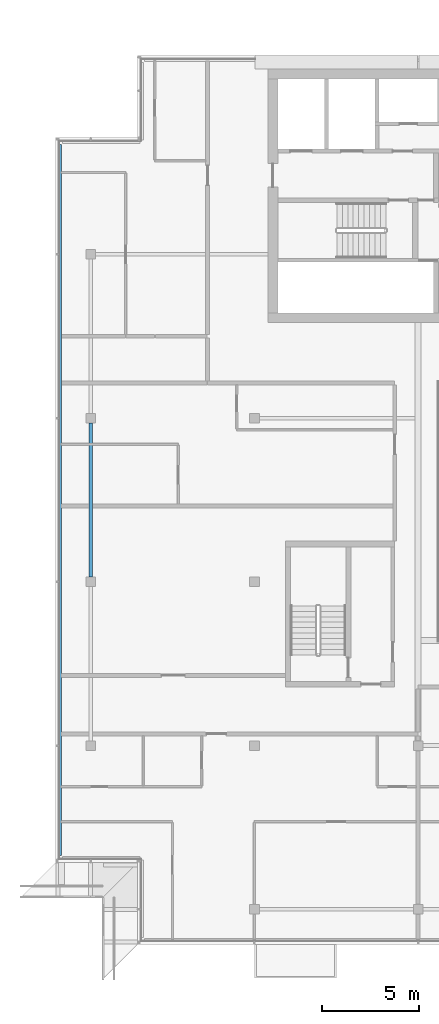
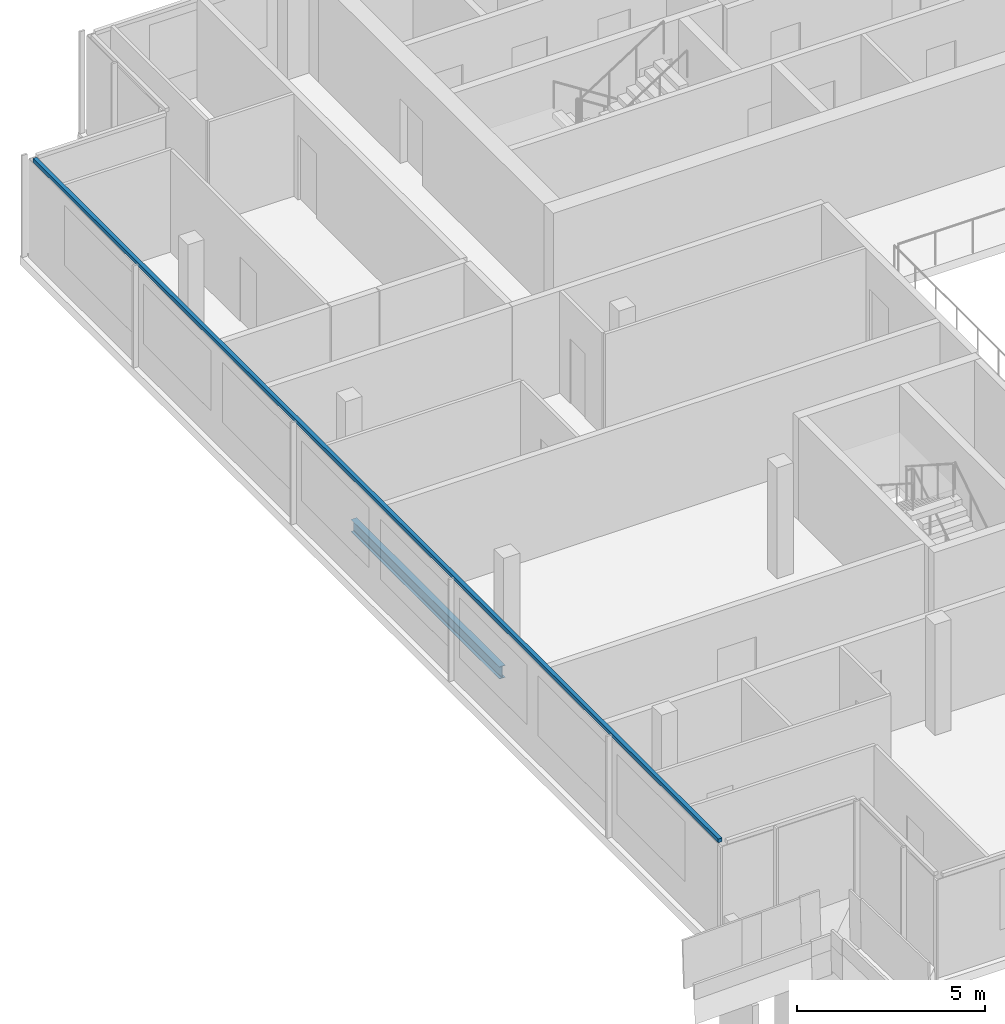
# One storey, part 5 of 24: 1 beam, 1 member, 1 element without a shape of its own.
"""IFC4 building model written with IfcOpenShell, lengths in metres."""

from ifc_helpers import new_model, si_unit, direction, frame, origin, origin_2d, place, context, subcontext, project, spatial, rectangle, i_section, extrude, material, material_profile, profile_set, type_object, element, aggregate, save


model = new_model("IFC4")

# Units and contexts
model_context = context("Model", 3, precision=1e-05, world=origin(), true_north=direction((0.0, 1.0)))
body_context = subcontext(model_context, "Body", "Model", "MODEL_VIEW")
ifc_project = project(units=[si_unit("LENGTHUNIT", "METRE"), si_unit("AREAUNIT", "SQUARE_METRE"), si_unit("VOLUMEUNIT", "CUBIC_METRE"), si_unit("PLANEANGLEUNIT", "RADIAN"), si_unit("MASSUNIT", "GRAM", prefix="KILO")], contexts=[model_context])

# Site, building, storey
site_placement = place(None, origin())
site = spatial("IfcSite", under=ifc_project, at=site_placement, CompositionType="ELEMENT")
building_placement = place(site_placement, origin())
building = spatial("IfcBuilding", under=site, at=building_placement, Name="Saffron Gate Tower", CompositionType="ELEMENT")
storey_placement = place(building_placement, frame((0.0, 0.0, 281.550048828125)))
storey = spatial("IfcBuildingStorey", under=building, at=storey_placement, Name="L68", CompositionType="ELEMENT", Elevation=281.550048828125)

# Beam
ifc_material_1 = material(Name="Structural steel S355", Category="steel")
ifc_material_profile_1 = material_profile(ifc_material_1, i_section(OverallWidth=0.179931640625, OverallDepth=0.39990234375, WebThickness=0.008544921875, FlangeThickness=0.013427734375, FilletRadius=0.02099609375, at=origin_2d()))
ifc_profile_set_1 = profile_set([ifc_material_profile_1], Name="Structural steel S355")
beam_type = type_object("IfcBeamType", Name="B5 IPE 400", PredefinedType="SPANDREL", material=ifc_profile_set_1)
beam_placement = place(storey_placement, frame((58.199951171875, 48.85009765625, -0.47998046875), z_axis=(0.0, 1.0, 0.0), x_axis=(-1.0, 0.0, 0.0)))
element("IfcBeam", 1, at=beam_placement, inside=storey, type_object=beam_type, Name="B5 SPANDREL BEAM", PredefinedType="SPANDREL", context=body_context, shape_type="SweptSolid", body=[
    extrude(i_section(OverallWidth=0.179931640625, OverallDepth=0.39990234375, WebThickness=0.008544921875, FlangeThickness=0.013427734375, FilletRadius=0.02099609375, at=origin_2d()), origin(), (0.0, 0.0, 1.0), 7.89990234375),
])

# Curtain wall, member
ifc_material_2 = material(Name="Aluminium, bronze anodised", Category="aluminium")
curtain_wall_type = type_object("IfcCurtainWallType", Name="CWS2 curtain wall side facades", PredefinedType="NOTDEFINED", material=ifc_material_2)
curtain_wall_placement = place(storey_placement, origin())
curtain_wall = element("IfcCurtainWall", 2, at=curtain_wall_placement, inside=storey, type_object=curtain_wall_type, Name="CWS2 run 10", PredefinedType="NOTDEFINED")
ifc_material_profile_2 = material_profile(ifc_material_2, rectangle(XDim=0.1201171875, YDim=0.1201171875, at=origin_2d()))
ifc_profile_set_2 = profile_set([ifc_material_profile_2], Name="Aluminium, bronze anodised")
member_type = type_object("IfcMemberType", Name="CWS2 head transom", PredefinedType="USERDEFINED", material=ifc_profile_set_2)
member_placement = place(storey_placement, frame((56.64794921875, 71.031982421875, 3.260009765625), z_axis=(0.0, -1.0, 0.0), x_axis=(1.0, 0.0, 0.0)))
member = element("IfcMember", 3, at=member_placement, type_object=member_type, Name="CWS2 head transom", ObjectType="TRANSOM", PredefinedType="USERDEFINED", context=body_context, shape_type="SweptSolid", body=[
    extrude(rectangle(XDim=0.1201171875, YDim=0.1201171875, at=origin_2d()), origin(), (0.0, 0.0, 1.0), 36.4638671875),
])
aggregate(curtain_wall, [member])

save(model, "model.ifc")
